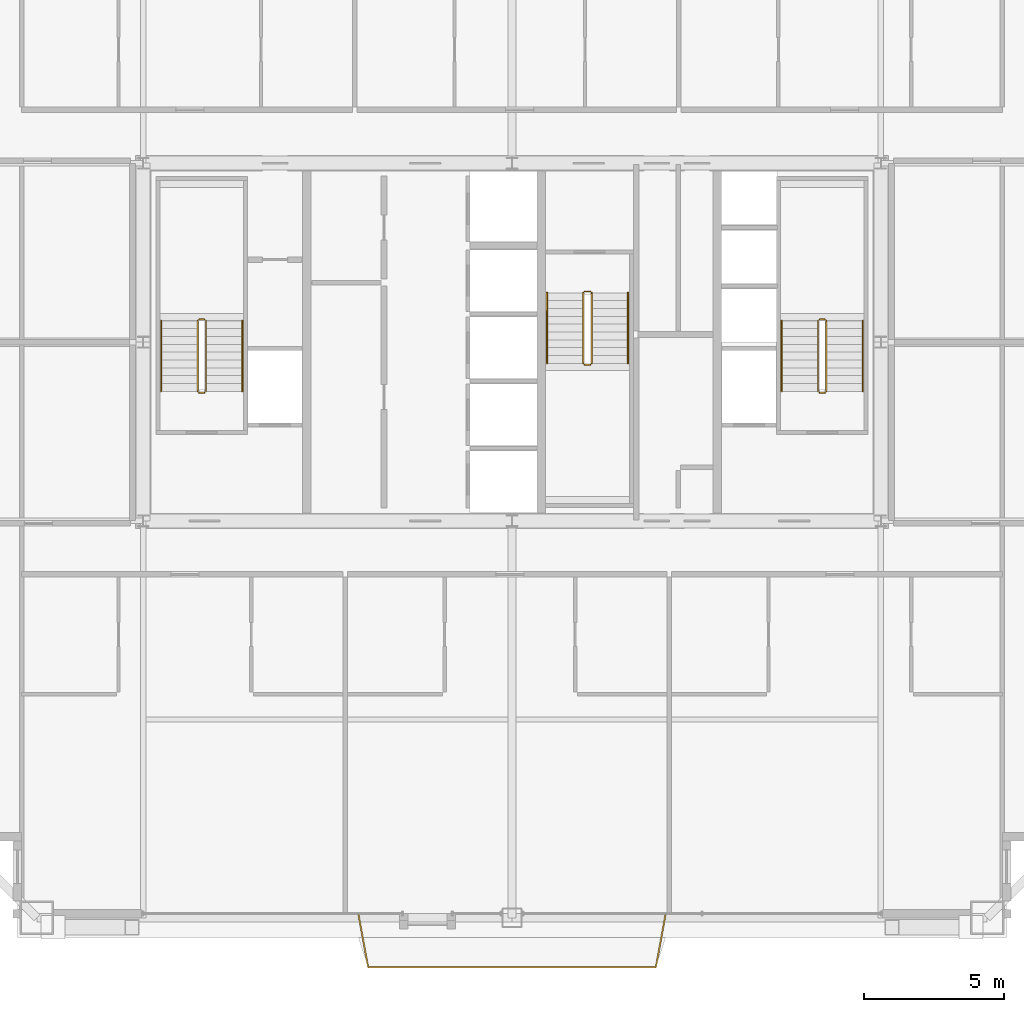
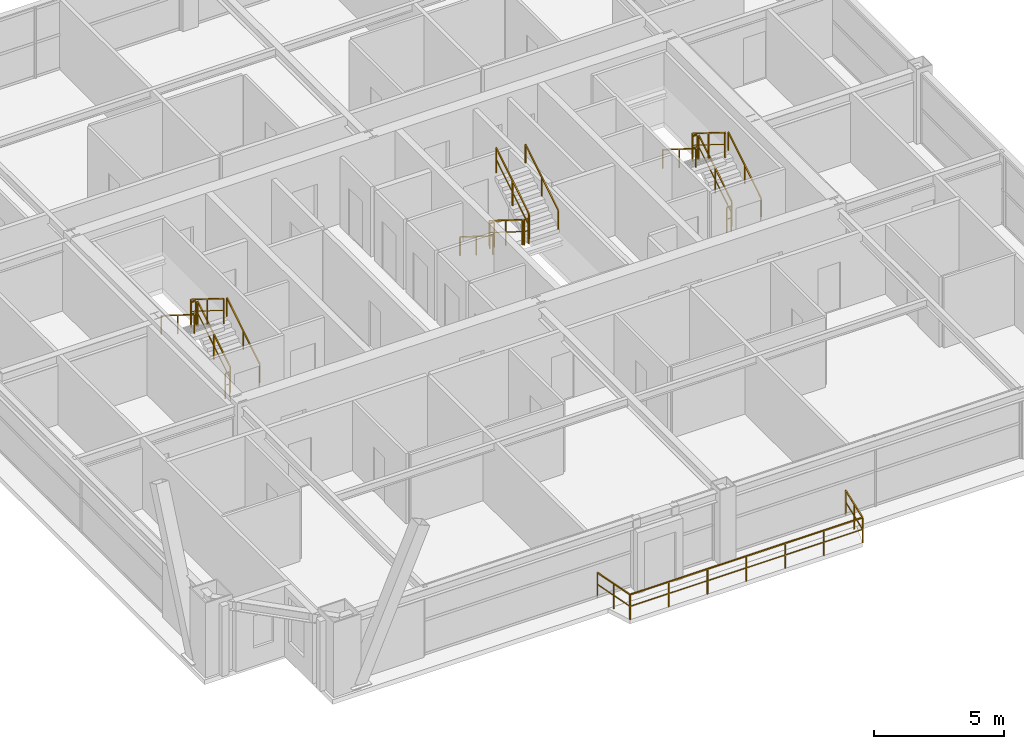
# One storey, part 34 of 34: 19 railings.
"""IFC4 building model written with IfcOpenShell, lengths in metres."""

from ifc_helpers import new_model, si_unit, direction, frame, origin, origin_2d, place, context, subcontext, project, spatial, rectangle, extrude, source, transform, mapped, material, layer, layer_set, type_object, element, save


model = new_model("IFC4")

# Units and contexts
model_context = context("Model", 3, precision=1e-05, world=origin(), true_north=direction((0.0, 1.0)))
body_context = subcontext(model_context, "Body", "Model", "MODEL_VIEW")
ifc_project = project(units=[si_unit("LENGTHUNIT", "METRE"), si_unit("AREAUNIT", "SQUARE_METRE"), si_unit("VOLUMEUNIT", "CUBIC_METRE"), si_unit("PLANEANGLEUNIT", "RADIAN"), si_unit("MASSUNIT", "GRAM", prefix="KILO"), si_unit("THERMODYNAMICTEMPERATUREUNIT", "KELVIN"), si_unit("POWERUNIT", "WATT")], contexts=[model_context])

# Site, building, storey
site_placement = place(None, origin())
site = spatial("IfcSite", under=ifc_project, at=site_placement, CompositionType="ELEMENT")
building_placement = place(site_placement, origin())
building = spatial("IfcBuilding", under=site, at=building_placement, Name="Yuzanri Waterfront Tower", CompositionType="ELEMENT")
storey_placement = place(building_placement, frame((0.0, 0.0, 241.60009765625)))
storey = spatial("IfcBuildingStorey", under=building, at=storey_placement, Name="L64", CompositionType="ELEMENT", Elevation=241.60009765625)

# Railings
ifc_material_1 = material(Name="Anodized Architectural Bronze", Category="metal")
ifc_layer_1 = layer(ifc_material_1, 0.080078125)
ifc_layer_set_1 = layer_set([ifc_layer_1], Name="Anodized Architectural Bronze")
railing_type_1 = type_object("IfcRailingType", Name="Laminated Glass and Bronze Balcony Guardrail 1200", PredefinedType="BALUSTRADE", material=ifc_layer_set_1)
shared_shape_1 = source(origin(), body_context, "Body", "SweptSolid", [
    extrude(rectangle(XDim=0.050048828125, YDim=0.050048828125, at=origin_2d()), frame((0.0, 0.0, 1.1748046875), z_axis=(0.179923222135, -0.983680656583, 0.0), x_axis=(0.983680656583, 0.179923222135, 0.0)), (0.0, 0.0, 1.0), 1.94580078125),
    extrude(rectangle(XDim=0.035888671875, YDim=0.030029296875, at=origin_2d()), frame((0.0, 0.0, 0.6240234375), z_axis=(0.179923222135, -0.983680656583, 0.0), x_axis=(0.983680656583, 0.179923222135, 0.0)), (0.0, 0.0, 1.0), 1.94580078125),
    extrude(rectangle(XDim=0.050048828125, YDim=0.050048828125, at=origin_2d()), frame((0.35009765625, -1.9140625, 1.1748046875), z_axis=(1.0, 0.0, 0.0), x_axis=(0.0, 1.0, 0.0)), (0.0, 0.0, 1.0), 10.2998046875),
    extrude(rectangle(XDim=0.035888671875, YDim=0.030029296875, at=origin_2d()), frame((0.35009765625, -1.9140625, 0.6240234375), z_axis=(1.0, 0.0, 0.0), x_axis=(0.0, 1.0, 0.0)), (0.0, 0.0, 1.0), 10.2998046875),
    extrude(rectangle(XDim=0.050048828125, YDim=0.050048828125, at=origin_2d()), frame((10.64990234375, -1.9140625, 1.1748046875), z_axis=(0.179923222135, 0.983680656583, 0.0), x_axis=(-0.983680656583, 0.179923222135, 0.0)), (0.0, 0.0, 1.0), 1.94580078125),
    extrude(rectangle(XDim=0.035888671875, YDim=0.030029296875, at=origin_2d()), frame((10.64990234375, -1.9140625, 0.6240234375), z_axis=(0.179923222135, 0.983680656583, 0.0), x_axis=(-0.983680656583, 0.179923222135, 0.0)), (0.0, 0.0, 1.0), 1.94580078125),
    extrude(rectangle(XDim=0.0458984375, YDim=0.0458984375, at=origin_2d()), origin(), (0.0, 0.0, 1.0), 1.14990234375),
    extrude(rectangle(XDim=0.0458984375, YDim=0.0458984375, at=origin_2d()), frame((0.175048828125, -0.95703125, 0.0)), (0.0, 0.0, 1.0), 1.14990234375),
    extrude(rectangle(XDim=0.0458984375, YDim=0.0458984375, at=origin_2d()), frame((0.35009765625, -1.9140625, 0.0)), (0.0, 0.0, 1.0), 1.14990234375),
    extrude(rectangle(XDim=0.0458984375, YDim=0.0458984375, at=origin_2d()), frame((2.066650390625, -1.9140625, 0.0)), (0.0, 0.0, 1.0), 1.14990234375),
    extrude(rectangle(XDim=0.0458984375, YDim=0.0458984375, at=origin_2d()), frame((3.783447265625, -1.9140625, 0.0)), (0.0, 0.0, 1.0), 1.14990234375),
    extrude(rectangle(XDim=0.0458984375, YDim=0.0458984375, at=origin_2d()), frame((5.5, -1.9140625, 0.0)), (0.0, 0.0, 1.0), 1.14990234375),
    extrude(rectangle(XDim=0.0458984375, YDim=0.0458984375, at=origin_2d()), frame((7.216552734375, -1.9140625, 0.0)), (0.0, 0.0, 1.0), 1.14990234375),
    extrude(rectangle(XDim=0.0458984375, YDim=0.0458984375, at=origin_2d()), frame((8.933349609375, -1.9140625, 0.0)), (0.0, 0.0, 1.0), 1.14990234375),
    extrude(rectangle(XDim=0.0458984375, YDim=0.0458984375, at=origin_2d()), frame((10.64990234375, -1.9140625, 0.0)), (0.0, 0.0, 1.0), 1.14990234375),
    extrude(rectangle(XDim=0.0458984375, YDim=0.0458984375, at=origin_2d()), frame((10.824951171875, -0.95703125, 0.0)), (0.0, 0.0, 1.0), 1.14990234375),
    extrude(rectangle(XDim=0.0458984375, YDim=0.0458984375, at=origin_2d()), frame((11.0, 0.0, 0.0)), (0.0, 0.0, 1.0), 1.14990234375),
])
railing_placement = place(storey_placement, frame((31.5, 5.35009765625, 0.0)))
element("IfcRailing", 1, at=railing_placement, inside=storey, type_object=railing_type_1, Name="L64 S Engawa Terrace Guardrail", PredefinedType="BALUSTRADE", context=body_context, shape_type="MappedRepresentation", body=[
    mapped(shared_shape_1, transform((0.0, 0.0, 0.0), scale=1.0)),
])
ifc_material_2 = material(Name="Painted Galvanized Fire Steel", Category="steel")
ifc_layer_2 = layer(ifc_material_2, 0.06005859375)
ifc_layer_set_2 = layer_set([ifc_layer_2], Name="Painted Galvanized Fire Steel")
railing_type_2 = type_object("IfcRailingType", Name="Painted Steel Stairwell Guardrail 1120", PredefinedType="GUARDRAIL", material=ifc_layer_set_2)
shared_shape_2 = source(origin(), body_context, "Body", "SweptSolid", [
    extrude(rectangle(XDim=0.050048828125, YDim=0.050048828125, at=origin_2d()), frame((0.0, 0.0, 1.1748046875), z_axis=(-1.0, 0.0, 0.0), x_axis=(0.0, -1.0, 0.0)), (0.0, 0.0, 1.0), 0.199951171875),
    extrude(rectangle(XDim=0.035888671875, YDim=0.030029296875, at=origin_2d()), frame((0.0, 0.0, 0.6240234375), z_axis=(-1.0, 0.0, 0.0), x_axis=(0.0, -1.0, 0.0)), (0.0, 0.0, 1.0), 0.199951171875),
    extrude(rectangle(XDim=0.0458984375, YDim=0.0458984375, at=origin_2d()), origin(), (0.0, 0.0, 1.0), 1.14990234375),
    extrude(rectangle(XDim=0.0458984375, YDim=0.0458984375, at=origin_2d()), frame((-0.199951171875, 0.0, 0.0)), (0.0, 0.0, 1.0), 1.14990234375),
])
for number, where, name in (
    (2, (26.0, 26.610107421875, 1.75), "L64 ST-01 stair guard 2"),
    (3, (26.0, 23.989990234375, 0.0), "L64 ST-01 stair guard 4"),
    (4, (48.199951171875, 26.610107421875, 1.75), "L64 ST-02 stair guard 2"),
    (5, (48.199951171875, 23.989990234375, 0.0), "L64 ST-02 stair guard 4"),
):
    element("IfcRailing", number, at=place(storey_placement, frame(where)), inside=storey, type_object=railing_type_2, Name=name, PredefinedType="GUARDRAIL", context=body_context, shape_type="MappedRepresentation", body=[
        mapped(shared_shape_2, transform((0.0, 0.0, 0.0), scale=1.0)),
    ])
shared_shape_3 = source(origin(), body_context, "Body", "SweptSolid", [
    extrude(rectangle(XDim=0.050048828125, YDim=0.050048828125, at=origin_2d()), frame((0.0, 0.0, 1.1748046875), z_axis=(0.0, 0.847970611238, 0.530043245855), x_axis=(-1.0, 0.0, 0.0)), (0.0, 0.0, 1.0), 2.971923828125),
    extrude(rectangle(XDim=0.035888671875, YDim=0.030029296875, at=origin_2d()), frame((0.0, 0.0, 0.6240234375), z_axis=(0.0, 0.847970611238, 0.530043245855), x_axis=(-1.0, 0.0, 0.0)), (0.0, 0.0, 1.0), 2.971923828125),
    extrude(rectangle(XDim=0.0458984375, YDim=0.0458984375, at=origin_2d()), origin(), (0.0, 0.0, 1.0), 1.14990234375),
    extrude(rectangle(XDim=0.0458984375, YDim=0.0458984375, at=origin_2d()), frame((0.0, 1.260009765625, 0.78759765625)), (0.0, 0.0, 1.0), 1.14990234375),
    extrude(rectangle(XDim=0.0458984375, YDim=0.0458984375, at=origin_2d()), frame((0.0, 2.52001953125, 1.5751953125)), (0.0, 0.0, 1.0), 1.14990234375),
])
for number, where, name in (
    (6, (26.050048828125, 24.0400390625, 0.1748046875), "L64 ST-01 stair guard 1"),
    (7, (48.25, 24.0400390625, 0.1748046875), "L64 ST-02 stair guard 1"),
    (8, (39.85009765625, 25.0400390625, 1.9248046875), "L64 ST-03 stair guard 3"),
):
    element("IfcRailing", number, at=place(storey_placement, frame(where)), inside=storey, type_object=railing_type_2, Name=name, PredefinedType="GUARDRAIL", context=body_context, shape_type="MappedRepresentation", body=[
        mapped(shared_shape_3, transform((0.0, 0.0, 0.0), scale=1.0)),
    ])
shared_shape_4 = source(origin(), body_context, "Body", "SweptSolid", [
    extrude(rectangle(XDim=0.050048828125, YDim=0.050048828125, at=origin_2d()), frame((0.0, 0.0, 1.1748046875), z_axis=(0.0, -0.847970611238, 0.530043245855), x_axis=(1.0, 0.0, 0.0)), (0.0, 0.0, 1.0), 2.971923828125),
    extrude(rectangle(XDim=0.035888671875, YDim=0.030029296875, at=origin_2d()), frame((0.0, 0.0, 0.6240234375), z_axis=(0.0, -0.847970611238, 0.530043245855), x_axis=(1.0, 0.0, 0.0)), (0.0, 0.0, 1.0), 2.971923828125),
    extrude(rectangle(XDim=0.0458984375, YDim=0.0458984375, at=origin_2d()), origin(), (0.0, 0.0, 1.0), 1.14990234375),
    extrude(rectangle(XDim=0.0458984375, YDim=0.0458984375, at=origin_2d()), frame((0.0, -1.260009765625, 0.78759765625)), (0.0, 0.0, 1.0), 1.14990234375),
    extrude(rectangle(XDim=0.0458984375, YDim=0.0458984375, at=origin_2d()), frame((0.0, -2.52001953125, 1.5751953125)), (0.0, 0.0, 1.0), 1.14990234375),
])
for number, where, name in (
    (9, (25.75, 26.56005859375, 1.9248046875), "L64 ST-01 stair guard 3"),
    (10, (47.949951171875, 26.56005859375, 1.9248046875), "L64 ST-02 stair guard 3"),
    (11, (39.550048828125, 27.56005859375, 0.1748046875), "L64 ST-03 stair guard 1"),
):
    element("IfcRailing", number, at=place(storey_placement, frame(where)), inside=storey, type_object=railing_type_2, Name=name, PredefinedType="GUARDRAIL", context=body_context, shape_type="MappedRepresentation", body=[
        mapped(shared_shape_4, transform((0.0, 0.0, 0.0), scale=1.0)),
    ])
ifc_material_3 = material(Name="Anodized Architectural Bronze", Category="metal")
ifc_layer_3 = layer(ifc_material_3, 0.050048828125)
ifc_layer_set_3 = layer_set([ifc_layer_3], Name="Anodized Architectural Bronze")
railing_type_3 = type_object("IfcRailingType", Name="Brushed Bronze Stair Pitch Handrail 920", PredefinedType="HANDRAIL", material=ifc_layer_set_3)
shared_shape_5 = source(origin(), body_context, "Body", "SweptSolid", [
    extrude(rectangle(XDim=0.050048828125, YDim=0.050048828125, at=origin_2d()), frame((0.0, 0.0, 0.875), z_axis=(0.0, 0.847970611238, 0.530043245855), x_axis=(-1.0, 0.0, 0.0)), (0.0, 0.0, 1.0), 2.971923828125),
    extrude(rectangle(XDim=0.0458984375, YDim=0.0458984375, at=origin_2d()), origin(), (0.0, 0.0, 1.0), 0.849853515625),
    extrude(rectangle(XDim=0.0458984375, YDim=0.0458984375, at=origin_2d()), frame((0.0, 1.260009765625, 0.78759765625)), (0.0, 0.0, 1.0), 0.849853515625),
    extrude(rectangle(XDim=0.0458984375, YDim=0.0458984375, at=origin_2d()), frame((0.0, 2.52001953125, 1.5751953125)), (0.0, 0.0, 1.0), 0.849853515625),
])
for number, where, name in (
    (12, (27.35009765625, 24.0400390625, 0.1748046875), "L64 ST-01 stair handrail 1"),
    (13, (49.550048828125, 24.0400390625, 0.1748046875), "L64 ST-02 stair handrail 1"),
    (14, (41.14990234375, 25.0400390625, 1.9248046875), "L64 ST-03 stair handrail 2"),
):
    element("IfcRailing", number, at=place(storey_placement, frame(where)), inside=storey, type_object=railing_type_3, Name=name, PredefinedType="HANDRAIL", context=body_context, shape_type="MappedRepresentation", body=[
        mapped(shared_shape_5, transform((0.0, 0.0, 0.0), scale=1.0)),
    ])
shared_shape_6 = source(origin(), body_context, "Body", "SweptSolid", [
    extrude(rectangle(XDim=0.050048828125, YDim=0.050048828125, at=origin_2d()), frame((0.0, 0.0, 0.875), z_axis=(0.0, -0.847970611238, 0.530043245855), x_axis=(1.0, 0.0, 0.0)), (0.0, 0.0, 1.0), 2.971923828125),
    extrude(rectangle(XDim=0.0458984375, YDim=0.0458984375, at=origin_2d()), origin(), (0.0, 0.0, 1.0), 0.849853515625),
    extrude(rectangle(XDim=0.0458984375, YDim=0.0458984375, at=origin_2d()), frame((0.0, -1.260009765625, 0.78759765625)), (0.0, 0.0, 1.0), 0.849853515625),
    extrude(rectangle(XDim=0.0458984375, YDim=0.0458984375, at=origin_2d()), frame((0.0, -2.52001953125, 1.5751953125)), (0.0, 0.0, 1.0), 0.849853515625),
])
for number, where, name in (
    (15, (24.449951171875, 26.56005859375, 1.9248046875), "L64 ST-01 stair handrail 2"),
    (16, (46.64990234375, 26.56005859375, 1.9248046875), "L64 ST-02 stair handrail 2"),
    (17, (38.25, 27.56005859375, 0.1748046875), "L64 ST-03 stair handrail 1"),
):
    element("IfcRailing", number, at=place(storey_placement, frame(where)), inside=storey, type_object=railing_type_3, Name=name, PredefinedType="HANDRAIL", context=body_context, shape_type="MappedRepresentation", body=[
        mapped(shared_shape_6, transform((0.0, 0.0, 0.0), scale=1.0)),
    ])
shared_shape_7 = source(origin(), body_context, "Body", "SweptSolid", [
    extrude(rectangle(XDim=0.050048828125, YDim=0.050048828125, at=origin_2d()), frame((0.0, 0.0, 1.1748046875), z_axis=(1.0, 0.0, 0.0), x_axis=(0.0, 1.0, 0.0)), (0.0, 0.0, 1.0), 0.199951171875),
    extrude(rectangle(XDim=0.035888671875, YDim=0.030029296875, at=origin_2d()), frame((0.0, 0.0, 0.6240234375), z_axis=(1.0, 0.0, 0.0), x_axis=(0.0, 1.0, 0.0)), (0.0, 0.0, 1.0), 0.199951171875),
    extrude(rectangle(XDim=0.0458984375, YDim=0.0458984375, at=origin_2d()), origin(), (0.0, 0.0, 1.0), 1.14990234375),
    extrude(rectangle(XDim=0.0458984375, YDim=0.0458984375, at=origin_2d()), frame((0.199951171875, 0.0, 0.0)), (0.0, 0.0, 1.0), 1.14990234375),
])
for number, where, name in (
    (18, (39.60009765625, 24.989990234375, 1.75), "L64 ST-03 stair guard 2"),
    (19, (39.60009765625, 27.610107421875, 0.0), "L64 ST-03 stair guard 4"),
):
    element("IfcRailing", number, at=place(storey_placement, frame(where)), inside=storey, type_object=railing_type_2, Name=name, PredefinedType="GUARDRAIL", context=body_context, shape_type="MappedRepresentation", body=[
        mapped(shared_shape_7, transform((0.0, 0.0, 0.0), scale=1.0)),
    ])

save(model, "model.ifc")
